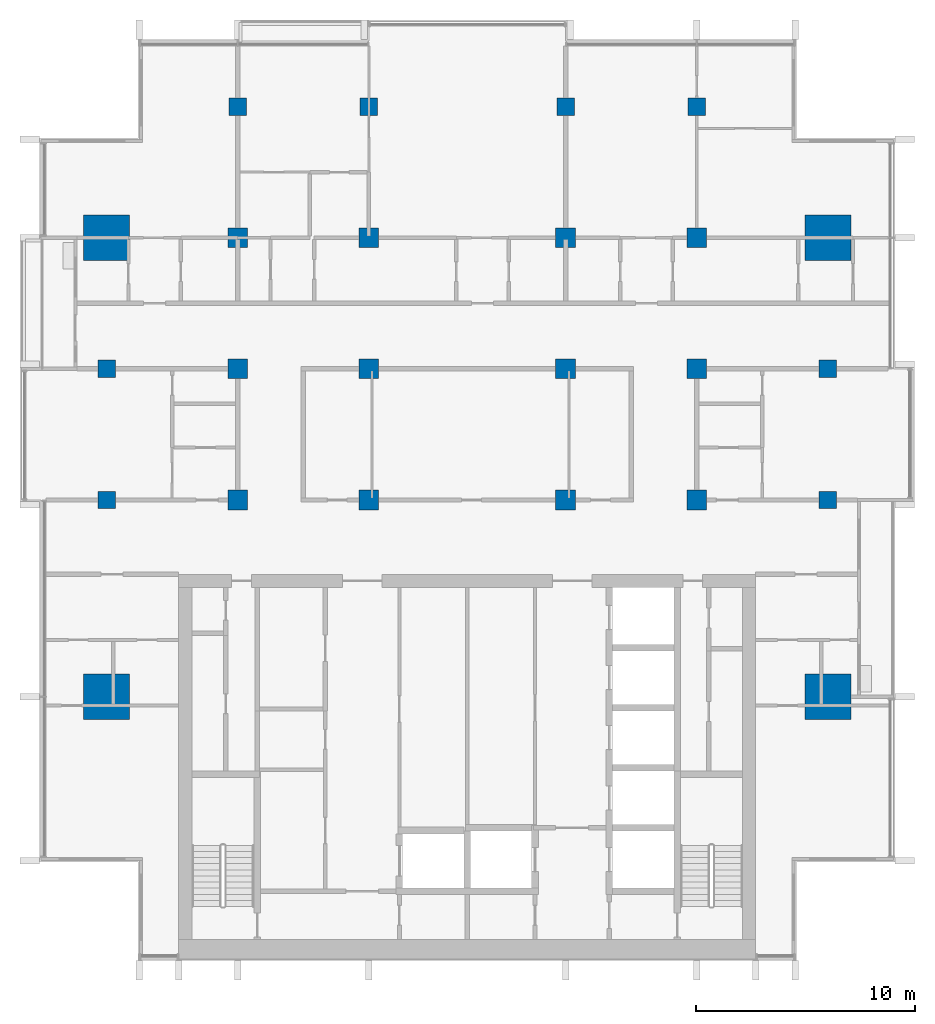
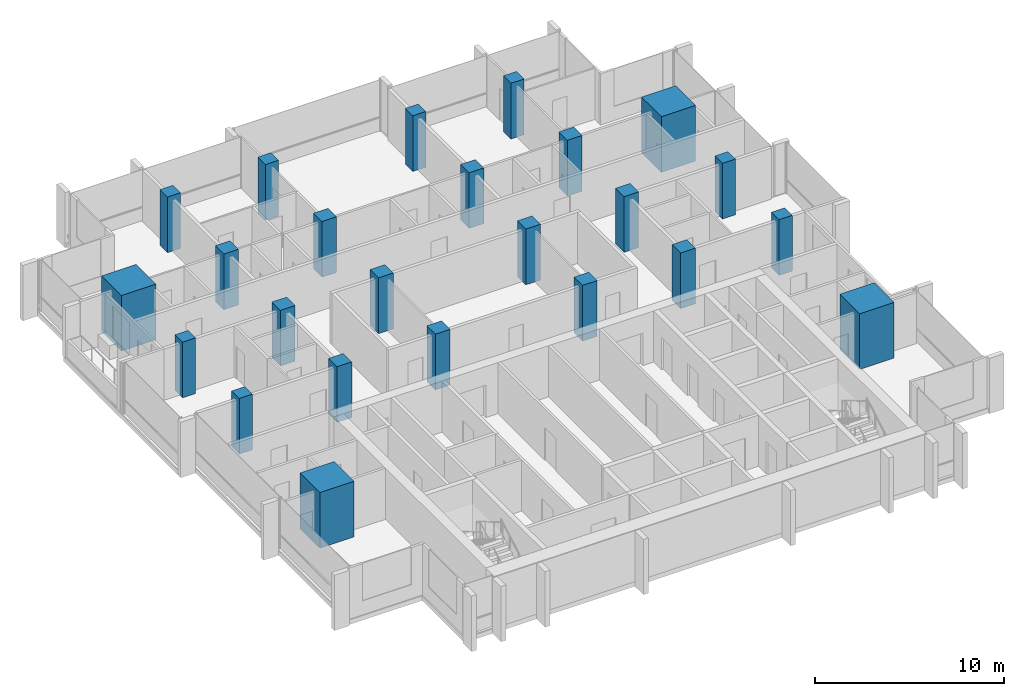
# One storey, part 1 of 16: 24 columns.
"""IFC4 building model written with IfcOpenShell, lengths in metres."""

from ifc_helpers import new_model, si_unit, direction, frame, origin, origin_2d, place, context, subcontext, project, spatial, rectangle, extrude, material, material_profile, profile_set, type_object, element, save


model = new_model("IFC4")

# Units and contexts
model_context = context("Model", 3, precision=1e-05, world=origin(), true_north=direction((0.0, 1.0)))
body_context = subcontext(model_context, "Body", "Model", "MODEL_VIEW")
ifc_project = project(units=[si_unit("LENGTHUNIT", "METRE"), si_unit("AREAUNIT", "SQUARE_METRE"), si_unit("VOLUMEUNIT", "CUBIC_METRE"), si_unit("PLANEANGLEUNIT", "RADIAN"), si_unit("MASSUNIT", "GRAM", prefix="KILO")], contexts=[model_context])

# Site, building, storey
site_placement = place(None, origin())
site = spatial("IfcSite", under=ifc_project, at=site_placement, CompositionType="ELEMENT")
building_placement = place(site_placement, origin())
building = spatial("IfcBuilding", under=site, at=building_placement, Name="Finial Court Residences", CompositionType="ELEMENT")
storey_placement = place(building_placement, frame((0.0, 0.0, 223.10009765625)))
storey = spatial("IfcBuildingStorey", under=building, at=storey_placement, Name="L56", CompositionType="ELEMENT", Elevation=223.10009765625)

# Columns
ifc_material = material(Name="Concrete C50/60", Category="concrete")
ifc_material_profile_1 = material_profile(ifc_material, rectangle(XDim=0.89990234375, YDim=0.89990234375, at=origin_2d()), Name="900x900")
ifc_profile_set_1 = profile_set([ifc_material_profile_1], Name="Concrete C50/60")
column_type_1 = type_object("IfcColumnType", Name="Interior column 900x900 Concrete C50/60", PredefinedType="COLUMN", material=ifc_profile_set_1)
for number, where, z_axis, x_axis, name in (
    (1, (-10.5, -4.5, 0.0), (0.0, 0.0, 1.0), (1.0, 0.0, 0.0), "S:COL:L56:D4"),
    (2, (-10.5, 1.5, 0.0), (0.0, 0.0, 1.0), (1.0, 0.0, 0.0), "S:COL:L56:D5"),
    (3, (-10.5, 7.5, 0.0), (0.0, 0.0, 1.0), (1.0, 0.0, 0.0), "S:COL:L56:D6"),
    (4, (-4.5, -4.5, 0.0), (0.0, 0.0, 1.0), (1.0, 0.0, 0.0), "S:COL:L56:E4"),
    (5, (-4.5, 1.5, 0.0), (0.0, 0.0, 1.0), (1.0, 0.0, 0.0), "S:COL:L56:E5"),
    (6, (-4.5, 7.5, 0.0), (0.0, 0.0, 1.0), (1.0, 0.0, 0.0), "S:COL:L56:E6"),
    (7, (4.5, -4.5, 0.0), (0.0, 0.0, 1.0), (1.0, 0.0, 0.0), "S:COL:L56:F4"),
    (8, (4.5, 1.5, 0.0), (0.0, 0.0, 1.0), (1.0, 0.0, 0.0), "S:COL:L56:F5"),
    (9, (4.5, 7.5, 0.0), (0.0, 0.0, 1.0), (1.0, 0.0, 0.0), "S:COL:L56:F6"),
    (10, (10.5, -4.5, 0.0), (0.0, 0.0, 1.0), (1.0, 0.0, 0.0), "S:COL:L56:G4"),
    (11, (10.5, 1.5, 0.0), (0.0, 0.0, 1.0), (1.0, 0.0, 0.0), "S:COL:L56:G5"),
    (12, (10.5, 7.5, 0.0), (0.0, 0.0, 1.0), (1.0, 0.0, 0.0), "S:COL:L56:G6"),
):
    element("IfcColumn", number, at=place(storey_placement, frame(where, z_axis=z_axis, x_axis=x_axis)), inside=storey, type_object=column_type_1, Name=name, PredefinedType="COLUMN", context=body_context, shape_type="SweptSolid", body=[
        extrude(rectangle(XDim=0.89990234375, YDim=0.89990234375, at=origin_2d()), origin(), (0.0, 0.0, 1.0), 3.599853515625),
    ])
ifc_material_profile_2 = material_profile(ifc_material, rectangle(XDim=2.10009765625, YDim=2.10009765625, at=origin_2d()), Name="2100x2100")
ifc_profile_set_2 = profile_set([ifc_material_profile_2], Name="Concrete C50/60")
column_type_2 = type_object("IfcColumnType", Name="Mega column 2100x2100 Concrete C50/60", PredefinedType="COLUMN", material=ifc_profile_set_2)
for number, where, z_axis, x_axis, name in (
    (13, (-16.5, -13.5, 0.0), (0.0, 0.0, 1.0), (1.0, 0.0, 0.0), "S:COL:L56:C3"),
    (14, (-16.5, 7.5, 0.0), (0.0, 0.0, 1.0), (1.0, 0.0, 0.0), "S:COL:L56:C6"),
    (15, (16.5, -13.5, 0.0), (0.0, 0.0, 1.0), (1.0, 0.0, 0.0), "S:COL:L56:H3"),
    (16, (16.5, 7.5, 0.0), (0.0, 0.0, 1.0), (1.0, 0.0, 0.0), "S:COL:L56:H6"),
):
    element("IfcColumn", number, at=place(storey_placement, frame(where, z_axis=z_axis, x_axis=x_axis)), inside=storey, type_object=column_type_2, Name=name, PredefinedType="COLUMN", context=body_context, shape_type="SweptSolid", body=[
        extrude(rectangle(XDim=2.10009765625, YDim=2.10009765625, at=origin_2d()), origin(), (0.0, 0.0, 1.0), 3.599853515625),
    ])
ifc_material_profile_3 = material_profile(ifc_material, rectangle(XDim=0.800048828125, YDim=0.800048828125, at=origin_2d()), Name="800x800")
ifc_profile_set_3 = profile_set([ifc_material_profile_3], Name="Concrete C50/60")
column_type_3 = type_object("IfcColumnType", Name="Perimeter column 800x800 Concrete C50/60", PredefinedType="COLUMN", material=ifc_profile_set_3)
for number, where, z_axis, x_axis, name in (
    (17, (-16.5, -4.5, 0.0), (0.0, 0.0, 1.0), (1.0, 0.0, 0.0), "S:COL:L56:C4"),
    (18, (-16.5, 1.5, 0.0), (0.0, 0.0, 1.0), (1.0, 0.0, 0.0), "S:COL:L56:C5"),
    (19, (-10.5, 13.5, 0.0), (0.0, 0.0, 1.0), (1.0, 0.0, 0.0), "S:COL:L56:D7"),
    (20, (-4.5, 13.5, 0.0), (0.0, 0.0, 1.0), (1.0, 0.0, 0.0), "S:COL:L56:E7"),
    (21, (4.5, 13.5, 0.0), (0.0, 0.0, 1.0), (1.0, 0.0, 0.0), "S:COL:L56:F7"),
    (22, (10.5, 13.5, 0.0), (0.0, 0.0, 1.0), (1.0, 0.0, 0.0), "S:COL:L56:G7"),
    (23, (16.5, -4.5, 0.0), (0.0, 0.0, 1.0), (1.0, 0.0, 0.0), "S:COL:L56:H4"),
    (24, (16.5, 1.5, 0.0), (0.0, 0.0, 1.0), (1.0, 0.0, 0.0), "S:COL:L56:H5"),
):
    element("IfcColumn", number, at=place(storey_placement, frame(where, z_axis=z_axis, x_axis=x_axis)), inside=storey, type_object=column_type_3, Name=name, PredefinedType="COLUMN", context=body_context, shape_type="SweptSolid", body=[
        extrude(rectangle(XDim=0.800048828125, YDim=0.800048828125, at=origin_2d()), origin(), (0.0, 0.0, 1.0), 3.599853515625),
    ])

save(model, "model.ifc")
